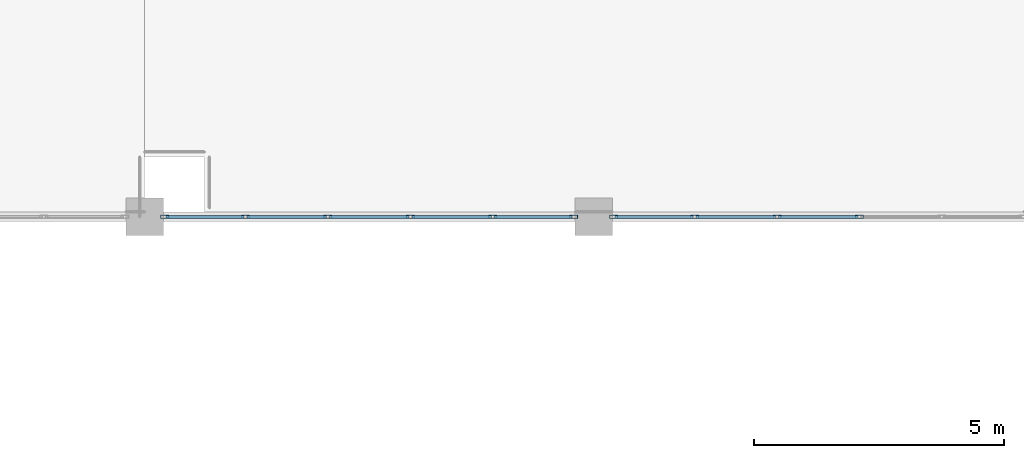
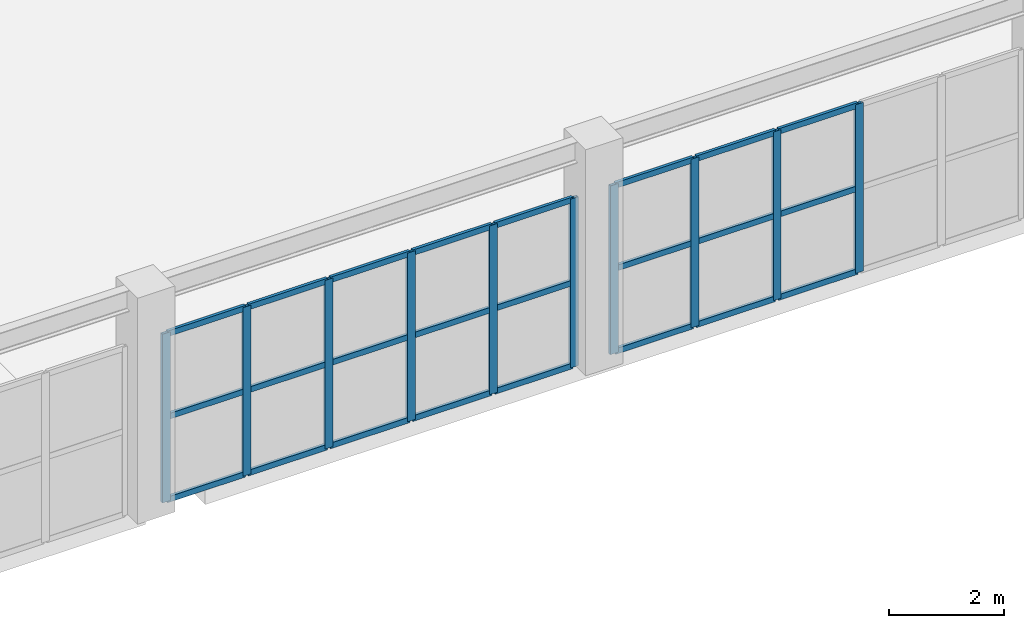
# One storey, part 9 of 89: 34 members, 2 elements without a shape of their own.
"""IFC4 building model written with IfcOpenShell, lengths in metres."""

import ifcopenshell
import ifcopenshell.guid

model = None  # the IFC model being written
_history = None  # IfcOwnerHistory: only IFC2X3 demands one
_inside = {}  # id of a spatial element -> (the spatial element, [elements in it])
_under = {}  # id of a project, library or spatial element -> (it, [spatial elements below it])
_declared = {}  # id of a project -> (the project, [libraries it declares])
_typed = {}  # id of a type object -> (the type object, [elements of that type])
_made_of = {}  # id of a material, layer set ... -> (it, [elements and type objects made of it])


def new_model(schema):
    """Start an empty IFC model of exactly this schema.

    Asked for "IFC4X3", IfcOpenShell would pick the latest addendum, in which some entities
    have other attributes; the version numbers below select the first issue.
    IFC2X3 requires an IfcOwnerHistory on every rooted entity: one is made here for all.
    """
    global model, _history
    if schema == "IFC4X3":
        model = ifcopenshell.file(schema_version=(4, 3, 0, 0))
    else:
        model = ifcopenshell.file(schema=schema)
    _inside.clear()
    _under.clear()
    _declared.clear()
    _typed.clear()
    _made_of.clear()
    _history = None
    if model.schema == "IFC2X3":
        org = make("IfcOrganization", Name="unknown")
        user = make(
            "IfcPersonAndOrganization",
            ThePerson=make("IfcPerson", FamilyName="unknown"),
            TheOrganization=org,
        )
        app = make(
            "IfcApplication",
            ApplicationDeveloper=org,
            Version="unknown",
            ApplicationFullName="unknown",
            ApplicationIdentifier="unknown",
        )
        _history = make(
            "IfcOwnerHistory",
            OwningUser=user,
            OwningApplication=app,
            ChangeAction="ADDED",
            CreationDate=0,
        )
    return model


def make(cls, **values):
    """One entity of the class cls with the attributes given. An attribute that is None is left unset."""
    return model.create_entity(
        cls, **{name: value for name, value in values.items() if value is not None}
    )


def rooted(cls, **values):
    """An entity with a GlobalId (a new one), such as an element, a storey or a relation."""
    return make(cls, GlobalId=ifcopenshell.guid.new(), OwnerHistory=_history, **values)


def si_unit(unit_type, name, prefix=None):
    """IfcSIUnit, for example si_unit("LENGTHUNIT", "METRE", prefix="MILLI")."""
    return make("IfcSIUnit", UnitType=unit_type, Prefix=prefix, Name=name)


def assignment(units):
    """IfcUnitAssignment: the units of a project."""
    return None if units is None else make("IfcUnitAssignment", Units=units)


def point(xyz):
    """IfcCartesianPoint."""
    return None if xyz is None else make("IfcCartesianPoint", Coordinates=xyz)


def direction(xyz):
    """IfcDirection."""
    return None if xyz is None else make("IfcDirection", DirectionRatios=xyz)


def frame(location, z_axis=None, x_axis=None):
    """IfcAxis2Placement3D, a coordinate frame: its origin and axes. An axis left out is left unset."""
    return make(
        "IfcAxis2Placement3D",
        Location=point(location),
        Axis=direction(z_axis),
        RefDirection=direction(x_axis),
    )


def frame_2d(location, x_axis=None):
    """IfcAxis2Placement2D, a coordinate frame in the plane: its origin and x axis."""
    return make(
        "IfcAxis2Placement2D", Location=point(location), RefDirection=direction(x_axis)
    )


def origin():
    """The frame at (0, 0, 0) with its axes left unset."""
    return frame((0.0, 0.0, 0.0))


def origin_2d():
    """The frame at (0, 0) in the plane with its x axis left unset."""
    return frame_2d((0.0, 0.0))


def place(relative_to, where):
    """IfcLocalPlacement: puts the frame where relative to a parent placement (None: the world)."""
    return make(
        "IfcLocalPlacement", PlacementRelTo=relative_to, RelativePlacement=where
    )


def context(
    kind, dimensions, precision=None, world=None, true_north=None, identifier=None
):
    """IfcGeometricRepresentationContext, for example the 3D "Model" context."""
    return make(
        "IfcGeometricRepresentationContext",
        ContextIdentifier=identifier,
        ContextType=kind,
        CoordinateSpaceDimension=dimensions,
        Precision=precision,
        WorldCoordinateSystem=world,
        TrueNorth=true_north,
    )


def subcontext(parent, identifier, kind, view, scale=None):
    """IfcGeometricRepresentationSubContext, for example "Body" below "Model"."""
    return make(
        "IfcGeometricRepresentationSubContext",
        ContextIdentifier=identifier,
        ContextType=kind,
        ParentContext=parent,
        TargetScale=scale,
        TargetView=view,
    )


def project(units=None, contexts=None):
    """IfcProject with its units and contexts."""
    return rooted(
        "IfcProject",
        Name="project",
        RepresentationContexts=contexts,
        UnitsInContext=assignment(units),
    )


def spatial(cls, under=None, at=None, **own):
    """A site, building, storey or space (cls), placed at a placement, below another one or the project."""
    s = rooted(cls, ObjectPlacement=at, **own)
    if under is not None:
        _under.setdefault(under.id(), (under, []))[1].append(s)
    return s


def profile(cls, at=None, kind="AREA", **sizes):
    """A parametric profile (cls). Its sizes go by their IFC names, for example OverallWidth=200.0."""
    return make(cls, ProfileType=kind, Position=at, **sizes)


def hollow_rectangle(**sizes):
    """IfcRectangleHollowProfileDef."""
    return profile("IfcRectangleHollowProfileDef", **sizes)


def extrude(swept, where, along, depth):
    """IfcExtrudedAreaSolid: the profile swept, set in the frame where, extruded along a direction by depth."""
    return make(
        "IfcExtrudedAreaSolid",
        SweptArea=swept,
        Position=where,
        ExtrudedDirection=direction(along),
        Depth=depth,
    )


def shape(context_of_items, identifier, shape_type, items):
    """IfcShapeRepresentation: the items that make up one representation, for example the "Body"."""
    return make(
        "IfcShapeRepresentation",
        ContextOfItems=context_of_items,
        RepresentationIdentifier=identifier,
        RepresentationType=shape_type,
        Items=items,
    )


def material(Name=None, Category=None):
    """IfcMaterial."""
    return make("IfcMaterial", Name=Name, Category=Category)


def layer(
    of_material, thickness, ventilated=None, Name=None, Category=None, Priority=None
):
    """IfcMaterialLayer: one layer of a wall or slab, of a material (None: an air gap)."""
    return make(
        "IfcMaterialLayer",
        Material=of_material,
        LayerThickness=thickness,
        IsVentilated=ventilated,
        Name=Name,
        Category=Category,
        Priority=Priority,
    )


def layer_set(layers, Name=None):
    """IfcMaterialLayerSet."""
    return make("IfcMaterialLayerSet", MaterialLayers=layers, LayerSetName=Name)


def material_profile(
    of_material, cross_section, Name=None, Category=None, Priority=None
):
    """IfcMaterialProfile: a cross section and its material."""
    return make(
        "IfcMaterialProfile",
        Name=Name,
        Material=of_material,
        Profile=cross_section,
        Priority=Priority,
        Category=Category,
    )


def profile_set(profiles, Name=None, composite=None):
    """IfcMaterialProfileSet."""
    return make(
        "IfcMaterialProfileSet",
        Name=Name,
        MaterialProfiles=profiles,
        CompositeProfile=composite,
    )


def made_of(thing, what):
    """Note that an element or type object is made of a material, layer set ...; save() writes the relation."""
    if what is not None:
        _made_of.setdefault(what.id(), (what, []))[1].append(thing)
    return thing


def type_object(cls, material=None, **own):
    """A type object (cls), such as IfcWallType, which elements share."""
    return made_of(rooted(cls, **own), material)


def element(
    cls,
    number,
    at=None,
    inside=None,
    cuts=None,
    type_object=None,
    material=None,
    context=None,
    identifier="Body",
    shape_type=None,
    held_by="IfcProductDefinitionShape",
    body=None,
    shapes=None,
    **own,
):
    """One element of the class cls, such as IfcWall. Its Tag is "e" and its number.

    at: its placement. inside: the storey or other place that contains it. cuts: it is an
    opening in that element (IfcRelVoidsElement). A single representation is given by context,
    identifier, shape_type and body (its items); several are given by shapes. held_by: the class
    of the entity that holds the representations. save() writes the other relations.
    """
    e = rooted(cls, Tag="e%d" % number, ObjectPlacement=at, **own)
    if body is not None:
        shapes = [shape(context, identifier, shape_type, body)]
    if shapes is not None:
        e.Representation = make(held_by, Representations=shapes)
    if inside is not None:
        _inside.setdefault(inside.id(), (inside, []))[1].append(e)
    if cuts is not None:
        rooted(
            "IfcRelVoidsElement", RelatingBuildingElement=cuts, RelatedOpeningElement=e
        )
    if type_object is not None:
        _typed.setdefault(type_object.id(), (type_object, []))[1].append(e)
    return made_of(e, material)


def aggregate(whole, parts):
    """IfcRelAggregates: a whole, such as a stair, and the parts it consists of."""
    return rooted("IfcRelAggregates", RelatingObject=whole, RelatedObjects=parts)


def save(model, path):
    """Write the relations noted so far, then the file.

    IfcRelAggregates (storeys below a building ...), IfcRelContainedInSpatialStructure (elements
    in a storey), IfcRelDefinesByType, IfcRelAssociatesMaterial and IfcRelDeclares: one each for
    every whole, place, type object, material and project.
    """
    for whole, parts in _under.values():
        aggregate(whole, parts)
    for where, things in _inside.values():
        rooted(
            "IfcRelContainedInSpatialStructure",
            RelatedElements=things,
            RelatingStructure=where,
        )
    for kind, things in _typed.values():
        rooted("IfcRelDefinesByType", RelatedObjects=things, RelatingType=kind)
    for what, things in _made_of.values():
        rooted("IfcRelAssociatesMaterial", RelatedObjects=things, RelatingMaterial=what)
    for by, libraries in _declared.values():
        rooted("IfcRelDeclares", RelatingContext=by, RelatedDefinitions=libraries)
    model.write(path)


model = new_model("IFC4")

# Units and contexts
model_context = context("Model", 3, precision=1e-05, world=origin(), true_north=direction((0.0, 1.0)))
body_context = subcontext(model_context, "Body", "Model", "MODEL_VIEW")
ifc_project = project(units=[si_unit("LENGTHUNIT", "METRE"), si_unit("AREAUNIT", "SQUARE_METRE"), si_unit("VOLUMEUNIT", "CUBIC_METRE"), si_unit("PLANEANGLEUNIT", "RADIAN"), si_unit("MASSUNIT", "GRAM", prefix="KILO")], contexts=[model_context])

# Site, building, storey
site_placement = place(None, origin())
site = spatial("IfcSite", under=ifc_project, at=site_placement, CompositionType="ELEMENT")
building_placement = place(site_placement, origin())
building = spatial("IfcBuilding", under=site, at=building_placement, Name="Dornveld Trade and Exhibition Forum", CompositionType="ELEMENT")
storey_placement = place(building_placement, frame((0.0, 0.0, 12.0)))
storey = spatial("IfcBuildingStorey", under=building, at=storey_placement, Name="L02", CompositionType="ELEMENT", Elevation=12.0)

# Curtain wall, members
ifc_material_1 = material(Name="Dark-bronze anodised aluminium and low-E glass", Category="aluminium")
ifc_layer_1 = layer(ifc_material_1, 0.1630859375)
ifc_layer_set_1 = layer_set([ifc_layer_1], Name="Dark-bronze anodised aluminium and low-E glass")
curtain_wall_type_1 = type_object("IfcCurtainWallType", Name="CW-SYS-07", PredefinedType="USERDEFINED", material=ifc_layer_set_1)
curtain_wall_1_placement = place(storey_placement, origin())
curtain_wall_1 = element("IfcCurtainWall", 1, at=curtain_wall_1_placement, inside=storey, type_object=curtain_wall_type_1, Name="L02 unitised curtain wall 25", ObjectType="UNITISED_CURTAIN_WALL", PredefinedType="USERDEFINED")
ifc_material_2 = material(Name="Dark-bronze anodised aluminium", Category="aluminium")
ifc_material_profile_1 = material_profile(ifc_material_2, hollow_rectangle(XDim=0.06005859375, YDim=0.159912109375, WallThickness=0.00390625, at=origin_2d()), Name="RHS 160x60x4")
ifc_profile_set_1 = profile_set([ifc_material_profile_1], Name="Dark-bronze anodised aluminium")
member_type_1 = type_object("IfcMemberType", Name="CW-MUL-160", PredefinedType="MULLION", material=ifc_profile_set_1)
member_1_placement = place(storey_placement, frame((54.40087890625, 36.0, -0.00390625), z_axis=(0.0, 0.0, 1.0), x_axis=(0.0, 1.0, 0.0)))
member_1 = element("IfcMember", 2, at=member_1_placement, type_object=member_type_1, Name="CW-07 mullion 1", PredefinedType="MULLION", context=body_context, shape_type="SweptSolid", body=[
    extrude(hollow_rectangle(XDim=0.06005859375, YDim=0.159912109375, WallThickness=0.00390625, at=origin_2d()), origin(), (0.0, 0.0, 1.0), 3.583984375),
])
member_2_placement = place(storey_placement, frame((56.022705078125, 36.0, -0.00390625), z_axis=(0.0, 0.0, 1.0), x_axis=(0.0, 1.0, 0.0)))
member_2 = element("IfcMember", 3, at=member_2_placement, type_object=member_type_1, Name="CW-07 mullion 2", PredefinedType="MULLION", context=body_context, shape_type="SweptSolid", body=[
    extrude(hollow_rectangle(XDim=0.06005859375, YDim=0.159912109375, WallThickness=0.00390625, at=origin_2d()), origin(), (0.0, 0.0, 1.0), 3.583984375),
])
member_3_placement = place(storey_placement, frame((57.67431640625, 36.0, -0.00390625), z_axis=(0.0, 0.0, 1.0), x_axis=(0.0, 1.0, 0.0)))
member_3 = element("IfcMember", 4, at=member_3_placement, type_object=member_type_1, Name="CW-07 mullion 3", PredefinedType="MULLION", context=body_context, shape_type="SweptSolid", body=[
    extrude(hollow_rectangle(XDim=0.06005859375, YDim=0.159912109375, WallThickness=0.00390625, at=origin_2d()), origin(), (0.0, 0.0, 1.0), 3.583984375),
])
member_4_placement = place(storey_placement, frame((59.32568359375, 36.0, -0.00390625), z_axis=(0.0, 0.0, 1.0), x_axis=(0.0, 1.0, 0.0)))
member_4 = element("IfcMember", 5, at=member_4_placement, type_object=member_type_1, Name="CW-07 mullion 4", PredefinedType="MULLION", context=body_context, shape_type="SweptSolid", body=[
    extrude(hollow_rectangle(XDim=0.06005859375, YDim=0.159912109375, WallThickness=0.00390625, at=origin_2d()), origin(), (0.0, 0.0, 1.0), 3.583984375),
])
member_5_placement = place(storey_placement, frame((60.977294921875, 36.0, -0.00390625), z_axis=(0.0, 0.0, 1.0), x_axis=(0.0, 1.0, 0.0)))
member_5 = element("IfcMember", 6, at=member_5_placement, type_object=member_type_1, Name="CW-07 mullion 5", PredefinedType="MULLION", context=body_context, shape_type="SweptSolid", body=[
    extrude(hollow_rectangle(XDim=0.06005859375, YDim=0.159912109375, WallThickness=0.00390625, at=origin_2d()), origin(), (0.0, 0.0, 1.0), 3.583984375),
])
member_6_placement = place(storey_placement, frame((62.59912109375, 36.0, -0.00390625), z_axis=(0.0, 0.0, 1.0), x_axis=(0.0, 1.0, 0.0)))
member_6 = element("IfcMember", 7, at=member_6_placement, type_object=member_type_1, Name="CW-07 mullion 6", PredefinedType="MULLION", context=body_context, shape_type="SweptSolid", body=[
    extrude(hollow_rectangle(XDim=0.06005859375, YDim=0.159912109375, WallThickness=0.00390625, at=origin_2d()), origin(), (0.0, 0.0, 1.0), 3.583984375),
])

ifc_material_3 = material(Name="Dark-bronze anodised aluminium and low-E glass", Category="aluminium")
ifc_layer_2 = layer(ifc_material_3, 0.1689453125)
ifc_layer_set_2 = layer_set([ifc_layer_2], Name="Dark-bronze anodised aluminium and low-E glass")
curtain_wall_type_2 = type_object("IfcCurtainWallType", Name="CW-SYS-09", PredefinedType="USERDEFINED", material=ifc_layer_set_2)
curtain_wall_2_placement = place(storey_placement, origin())
curtain_wall_2 = element("IfcCurtainWall", 8, at=curtain_wall_2_placement, inside=storey, type_object=curtain_wall_type_2, Name="L02 unitised curtain wall 27", ObjectType="UNITISED_CURTAIN_WALL", PredefinedType="USERDEFINED")
member_7_placement = place(storey_placement, frame((63.40087890625, 36.0, -0.00390625), z_axis=(0.0, 0.0, 1.0), x_axis=(0.0, 1.0, 0.0)))
member_7 = element("IfcMember", 9, at=member_7_placement, type_object=member_type_1, Name="CW-09 mullion 1", PredefinedType="MULLION", context=body_context, shape_type="SweptSolid", body=[
    extrude(hollow_rectangle(XDim=0.06005859375, YDim=0.159912109375, WallThickness=0.00390625, at=origin_2d()), origin(), (0.0, 0.0, 1.0), 3.583984375),
])
member_8_placement = place(storey_placement, frame((65.022705078125, 36.0, -0.00390625), z_axis=(0.0, 0.0, 1.0), x_axis=(0.0, 1.0, 0.0)))
member_8 = element("IfcMember", 10, at=member_8_placement, type_object=member_type_1, Name="CW-09 mullion 2", PredefinedType="MULLION", context=body_context, shape_type="SweptSolid", body=[
    extrude(hollow_rectangle(XDim=0.06005859375, YDim=0.159912109375, WallThickness=0.00390625, at=origin_2d()), origin(), (0.0, 0.0, 1.0), 3.583984375),
])
member_9_placement = place(storey_placement, frame((66.67431640625, 36.0, -0.00390625), z_axis=(0.0, 0.0, 1.0), x_axis=(0.0, 1.0, 0.0)))
member_9 = element("IfcMember", 11, at=member_9_placement, type_object=member_type_1, Name="CW-09 mullion 3", PredefinedType="MULLION", context=body_context, shape_type="SweptSolid", body=[
    extrude(hollow_rectangle(XDim=0.06005859375, YDim=0.159912109375, WallThickness=0.00390625, at=origin_2d()), origin(), (0.0, 0.0, 1.0), 3.583984375),
])
member_10_placement = place(storey_placement, frame((68.32568359375, 36.0, -0.00390625), z_axis=(0.0, 0.0, 1.0), x_axis=(0.0, 1.0, 0.0)))
member_10 = element("IfcMember", 12, at=member_10_placement, type_object=member_type_1, Name="CW-09 mullion 4", PredefinedType="MULLION", context=body_context, shape_type="SweptSolid", body=[
    extrude(hollow_rectangle(XDim=0.06005859375, YDim=0.159912109375, WallThickness=0.00390625, at=origin_2d()), origin(), (0.0, 0.0, 1.0), 3.583984375),
])

# Member
ifc_material_4 = material(Name="Dark-bronze anodised aluminium", Category="aluminium")
ifc_material_profile_2 = material_profile(ifc_material_4, hollow_rectangle(XDim=0.06005859375, YDim=0.1201171875, WallThickness=0.00390625, at=origin_2d()), Name="RHS 120x60x4")
ifc_profile_set_2 = profile_set([ifc_material_profile_2], Name="Dark-bronze anodised aluminium")
member_type_2 = type_object("IfcMemberType", Name="CW-TRN-120", PredefinedType="USERDEFINED", material=ifc_profile_set_2)
member_11_placement = place(storey_placement, frame((54.430908203125, 36.0, 0.02587890625), z_axis=(1.0, 0.0, 0.0), x_axis=(0.0, 1.0, 0.0)))
member_11 = element("IfcMember", 13, at=member_11_placement, type_object=member_type_2, Name="CW-07 transom 1.1", ObjectType="TRANSOM", PredefinedType="USERDEFINED", context=body_context, shape_type="SweptSolid", body=[
    extrude(hollow_rectangle(XDim=0.06005859375, YDim=0.1201171875, WallThickness=0.00390625, at=origin_2d()), origin(), (0.0, 0.0, 1.0), 1.561767578125),
])

member_12_placement = place(storey_placement, frame((54.430908203125, 36.0, 1.7880859375), z_axis=(1.0, 0.0, 0.0), x_axis=(0.0, 1.0, 0.0)))
member_12 = element("IfcMember", 14, at=member_12_placement, type_object=member_type_2, Name="CW-07 transom 1.2", ObjectType="TRANSOM", PredefinedType="USERDEFINED", context=body_context, shape_type="SweptSolid", body=[
    extrude(hollow_rectangle(XDim=0.06005859375, YDim=0.1201171875, WallThickness=0.00390625, at=origin_2d()), origin(), (0.0, 0.0, 1.0), 1.561767578125),
])

member_13_placement = place(storey_placement, frame((54.430908203125, 36.0, 3.550048828125), z_axis=(1.0, 0.0, 0.0), x_axis=(0.0, 1.0, 0.0)))
member_13 = element("IfcMember", 15, at=member_13_placement, type_object=member_type_2, Name="CW-07 transom 1.3", ObjectType="TRANSOM", PredefinedType="USERDEFINED", context=body_context, shape_type="SweptSolid", body=[
    extrude(hollow_rectangle(XDim=0.06005859375, YDim=0.1201171875, WallThickness=0.00390625, at=origin_2d()), origin(), (0.0, 0.0, 1.0), 1.561767578125),
])

member_14_placement = place(storey_placement, frame((56.052490234375, 36.0, 0.02587890625), z_axis=(1.0, 0.0, 0.0), x_axis=(0.0, 1.0, 0.0)))
member_14 = element("IfcMember", 16, at=member_14_placement, type_object=member_type_2, Name="CW-07 transom 2.1", ObjectType="TRANSOM", PredefinedType="USERDEFINED", context=body_context, shape_type="SweptSolid", body=[
    extrude(hollow_rectangle(XDim=0.06005859375, YDim=0.1201171875, WallThickness=0.00390625, at=origin_2d()), origin(), (0.0, 0.0, 1.0), 1.591796875),
])

member_15_placement = place(storey_placement, frame((56.052490234375, 36.0, 1.7880859375), z_axis=(1.0, 0.0, 0.0), x_axis=(0.0, 1.0, 0.0)))
member_15 = element("IfcMember", 17, at=member_15_placement, type_object=member_type_2, Name="CW-07 transom 2.2", ObjectType="TRANSOM", PredefinedType="USERDEFINED", context=body_context, shape_type="SweptSolid", body=[
    extrude(hollow_rectangle(XDim=0.06005859375, YDim=0.1201171875, WallThickness=0.00390625, at=origin_2d()), origin(), (0.0, 0.0, 1.0), 1.591796875),
])

member_16_placement = place(storey_placement, frame((56.052490234375, 36.0, 3.550048828125), z_axis=(1.0, 0.0, 0.0), x_axis=(0.0, 1.0, 0.0)))
member_16 = element("IfcMember", 18, at=member_16_placement, type_object=member_type_2, Name="CW-07 transom 2.3", ObjectType="TRANSOM", PredefinedType="USERDEFINED", context=body_context, shape_type="SweptSolid", body=[
    extrude(hollow_rectangle(XDim=0.06005859375, YDim=0.1201171875, WallThickness=0.00390625, at=origin_2d()), origin(), (0.0, 0.0, 1.0), 1.591796875),
])

member_17_placement = place(storey_placement, frame((57.7041015625, 36.0, 0.02587890625), z_axis=(1.0, 0.0, 0.0), x_axis=(0.0, 1.0, 0.0)))
member_17 = element("IfcMember", 19, at=member_17_placement, type_object=member_type_2, Name="CW-07 transom 3.1", ObjectType="TRANSOM", PredefinedType="USERDEFINED", context=body_context, shape_type="SweptSolid", body=[
    extrude(hollow_rectangle(XDim=0.06005859375, YDim=0.1201171875, WallThickness=0.00390625, at=origin_2d()), origin(), (0.0, 0.0, 1.0), 1.591796875),
])

member_18_placement = place(storey_placement, frame((57.7041015625, 36.0, 1.7880859375), z_axis=(1.0, 0.0, 0.0), x_axis=(0.0, 1.0, 0.0)))
member_18 = element("IfcMember", 20, at=member_18_placement, type_object=member_type_2, Name="CW-07 transom 3.2", ObjectType="TRANSOM", PredefinedType="USERDEFINED", context=body_context, shape_type="SweptSolid", body=[
    extrude(hollow_rectangle(XDim=0.06005859375, YDim=0.1201171875, WallThickness=0.00390625, at=origin_2d()), origin(), (0.0, 0.0, 1.0), 1.591796875),
])

member_19_placement = place(storey_placement, frame((57.7041015625, 36.0, 3.550048828125), z_axis=(1.0, 0.0, 0.0), x_axis=(0.0, 1.0, 0.0)))
member_19 = element("IfcMember", 21, at=member_19_placement, type_object=member_type_2, Name="CW-07 transom 3.3", ObjectType="TRANSOM", PredefinedType="USERDEFINED", context=body_context, shape_type="SweptSolid", body=[
    extrude(hollow_rectangle(XDim=0.06005859375, YDim=0.1201171875, WallThickness=0.00390625, at=origin_2d()), origin(), (0.0, 0.0, 1.0), 1.591796875),
])

member_20_placement = place(storey_placement, frame((59.355712890625, 36.0, 0.02587890625), z_axis=(1.0, 0.0, 0.0), x_axis=(0.0, 1.0, 0.0)))
member_20 = element("IfcMember", 22, at=member_20_placement, type_object=member_type_2, Name="CW-07 transom 4.1", ObjectType="TRANSOM", PredefinedType="USERDEFINED", context=body_context, shape_type="SweptSolid", body=[
    extrude(hollow_rectangle(XDim=0.06005859375, YDim=0.1201171875, WallThickness=0.00390625, at=origin_2d()), origin(), (0.0, 0.0, 1.0), 1.591796875),
])

member_21_placement = place(storey_placement, frame((59.355712890625, 36.0, 1.7880859375), z_axis=(1.0, 0.0, 0.0), x_axis=(0.0, 1.0, 0.0)))
member_21 = element("IfcMember", 23, at=member_21_placement, type_object=member_type_2, Name="CW-07 transom 4.2", ObjectType="TRANSOM", PredefinedType="USERDEFINED", context=body_context, shape_type="SweptSolid", body=[
    extrude(hollow_rectangle(XDim=0.06005859375, YDim=0.1201171875, WallThickness=0.00390625, at=origin_2d()), origin(), (0.0, 0.0, 1.0), 1.591796875),
])

member_22_placement = place(storey_placement, frame((59.355712890625, 36.0, 3.550048828125), z_axis=(1.0, 0.0, 0.0), x_axis=(0.0, 1.0, 0.0)))
member_22 = element("IfcMember", 24, at=member_22_placement, type_object=member_type_2, Name="CW-07 transom 4.3", ObjectType="TRANSOM", PredefinedType="USERDEFINED", context=body_context, shape_type="SweptSolid", body=[
    extrude(hollow_rectangle(XDim=0.06005859375, YDim=0.1201171875, WallThickness=0.00390625, at=origin_2d()), origin(), (0.0, 0.0, 1.0), 1.591796875),
])

member_23_placement = place(storey_placement, frame((61.00732421875, 36.0, 0.02587890625), z_axis=(1.0, 0.0, 0.0), x_axis=(0.0, 1.0, 0.0)))
member_23 = element("IfcMember", 25, at=member_23_placement, type_object=member_type_2, Name="CW-07 transom 5.1", ObjectType="TRANSOM", PredefinedType="USERDEFINED", context=body_context, shape_type="SweptSolid", body=[
    extrude(hollow_rectangle(XDim=0.06005859375, YDim=0.1201171875, WallThickness=0.00390625, at=origin_2d()), origin(), (0.0, 0.0, 1.0), 1.561767578125),
])

member_24_placement = place(storey_placement, frame((61.00732421875, 36.0, 1.7880859375), z_axis=(1.0, 0.0, 0.0), x_axis=(0.0, 1.0, 0.0)))
member_24 = element("IfcMember", 26, at=member_24_placement, type_object=member_type_2, Name="CW-07 transom 5.2", ObjectType="TRANSOM", PredefinedType="USERDEFINED", context=body_context, shape_type="SweptSolid", body=[
    extrude(hollow_rectangle(XDim=0.06005859375, YDim=0.1201171875, WallThickness=0.00390625, at=origin_2d()), origin(), (0.0, 0.0, 1.0), 1.561767578125),
])

member_25_placement = place(storey_placement, frame((61.00732421875, 36.0, 3.550048828125), z_axis=(1.0, 0.0, 0.0), x_axis=(0.0, 1.0, 0.0)))
member_25 = element("IfcMember", 27, at=member_25_placement, type_object=member_type_2, Name="CW-07 transom 5.3", ObjectType="TRANSOM", PredefinedType="USERDEFINED", context=body_context, shape_type="SweptSolid", body=[
    extrude(hollow_rectangle(XDim=0.06005859375, YDim=0.1201171875, WallThickness=0.00390625, at=origin_2d()), origin(), (0.0, 0.0, 1.0), 1.561767578125),
])

aggregate(curtain_wall_1, [member_1, member_2, member_3, member_4, member_5, member_6, member_11, member_12, member_13, member_14, member_15, member_16, member_17, member_18, member_19, member_20, member_21, member_22, member_23, member_24, member_25])

member_26_placement = place(storey_placement, frame((63.430908203125, 36.0, 0.02587890625), z_axis=(1.0, 0.0, 0.0), x_axis=(0.0, 1.0, 0.0)))
member_26 = element("IfcMember", 28, at=member_26_placement, type_object=member_type_2, Name="CW-09 transom 1.1", ObjectType="TRANSOM", PredefinedType="USERDEFINED", context=body_context, shape_type="SweptSolid", body=[
    extrude(hollow_rectangle(XDim=0.06005859375, YDim=0.1201171875, WallThickness=0.00390625, at=origin_2d()), origin(), (0.0, 0.0, 1.0), 1.561767578125),
])

member_27_placement = place(storey_placement, frame((63.430908203125, 36.0, 1.7880859375), z_axis=(1.0, 0.0, 0.0), x_axis=(0.0, 1.0, 0.0)))
member_27 = element("IfcMember", 29, at=member_27_placement, type_object=member_type_2, Name="CW-09 transom 1.2", ObjectType="TRANSOM", PredefinedType="USERDEFINED", context=body_context, shape_type="SweptSolid", body=[
    extrude(hollow_rectangle(XDim=0.06005859375, YDim=0.1201171875, WallThickness=0.00390625, at=origin_2d()), origin(), (0.0, 0.0, 1.0), 1.561767578125),
])

member_28_placement = place(storey_placement, frame((63.430908203125, 36.0, 3.550048828125), z_axis=(1.0, 0.0, 0.0), x_axis=(0.0, 1.0, 0.0)))
member_28 = element("IfcMember", 30, at=member_28_placement, type_object=member_type_2, Name="CW-09 transom 1.3", ObjectType="TRANSOM", PredefinedType="USERDEFINED", context=body_context, shape_type="SweptSolid", body=[
    extrude(hollow_rectangle(XDim=0.06005859375, YDim=0.1201171875, WallThickness=0.00390625, at=origin_2d()), origin(), (0.0, 0.0, 1.0), 1.561767578125),
])

member_29_placement = place(storey_placement, frame((65.052490234375, 36.0, 0.02587890625), z_axis=(1.0, 0.0, 0.0), x_axis=(0.0, 1.0, 0.0)))
member_29 = element("IfcMember", 31, at=member_29_placement, type_object=member_type_2, Name="CW-09 transom 2.1", ObjectType="TRANSOM", PredefinedType="USERDEFINED", context=body_context, shape_type="SweptSolid", body=[
    extrude(hollow_rectangle(XDim=0.06005859375, YDim=0.1201171875, WallThickness=0.00390625, at=origin_2d()), origin(), (0.0, 0.0, 1.0), 1.591796875),
])

member_30_placement = place(storey_placement, frame((65.052490234375, 36.0, 1.7880859375), z_axis=(1.0, 0.0, 0.0), x_axis=(0.0, 1.0, 0.0)))
member_30 = element("IfcMember", 32, at=member_30_placement, type_object=member_type_2, Name="CW-09 transom 2.2", ObjectType="TRANSOM", PredefinedType="USERDEFINED", context=body_context, shape_type="SweptSolid", body=[
    extrude(hollow_rectangle(XDim=0.06005859375, YDim=0.1201171875, WallThickness=0.00390625, at=origin_2d()), origin(), (0.0, 0.0, 1.0), 1.591796875),
])

member_31_placement = place(storey_placement, frame((65.052490234375, 36.0, 3.550048828125), z_axis=(1.0, 0.0, 0.0), x_axis=(0.0, 1.0, 0.0)))
member_31 = element("IfcMember", 33, at=member_31_placement, type_object=member_type_2, Name="CW-09 transom 2.3", ObjectType="TRANSOM", PredefinedType="USERDEFINED", context=body_context, shape_type="SweptSolid", body=[
    extrude(hollow_rectangle(XDim=0.06005859375, YDim=0.1201171875, WallThickness=0.00390625, at=origin_2d()), origin(), (0.0, 0.0, 1.0), 1.591796875),
])

member_32_placement = place(storey_placement, frame((66.7041015625, 36.0, 0.02587890625), z_axis=(1.0, 0.0, 0.0), x_axis=(0.0, 1.0, 0.0)))
member_32 = element("IfcMember", 34, at=member_32_placement, type_object=member_type_2, Name="CW-09 transom 3.1", ObjectType="TRANSOM", PredefinedType="USERDEFINED", context=body_context, shape_type="SweptSolid", body=[
    extrude(hollow_rectangle(XDim=0.06005859375, YDim=0.1201171875, WallThickness=0.00390625, at=origin_2d()), origin(), (0.0, 0.0, 1.0), 1.591796875),
])

member_33_placement = place(storey_placement, frame((66.7041015625, 36.0, 1.7880859375), z_axis=(1.0, 0.0, 0.0), x_axis=(0.0, 1.0, 0.0)))
member_33 = element("IfcMember", 35, at=member_33_placement, type_object=member_type_2, Name="CW-09 transom 3.2", ObjectType="TRANSOM", PredefinedType="USERDEFINED", context=body_context, shape_type="SweptSolid", body=[
    extrude(hollow_rectangle(XDim=0.06005859375, YDim=0.1201171875, WallThickness=0.00390625, at=origin_2d()), origin(), (0.0, 0.0, 1.0), 1.591796875),
])

member_34_placement = place(storey_placement, frame((66.7041015625, 36.0, 3.550048828125), z_axis=(1.0, 0.0, 0.0), x_axis=(0.0, 1.0, 0.0)))
member_34 = element("IfcMember", 36, at=member_34_placement, type_object=member_type_2, Name="CW-09 transom 3.3", ObjectType="TRANSOM", PredefinedType="USERDEFINED", context=body_context, shape_type="SweptSolid", body=[
    extrude(hollow_rectangle(XDim=0.06005859375, YDim=0.1201171875, WallThickness=0.00390625, at=origin_2d()), origin(), (0.0, 0.0, 1.0), 1.591796875),
])

aggregate(curtain_wall_2, [member_7, member_8, member_9, member_10, member_26, member_27, member_28, member_29, member_30, member_31, member_32, member_33, member_34])

save(model, "model.ifc")
